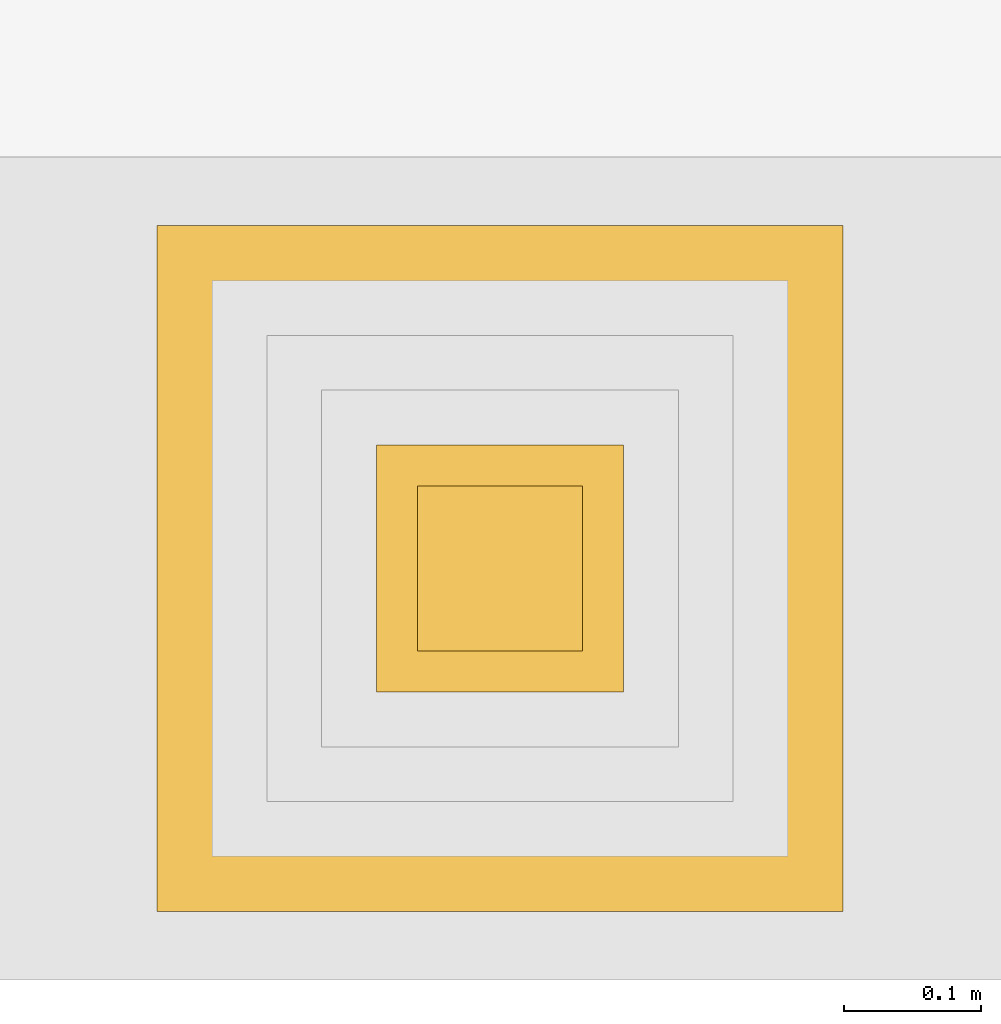
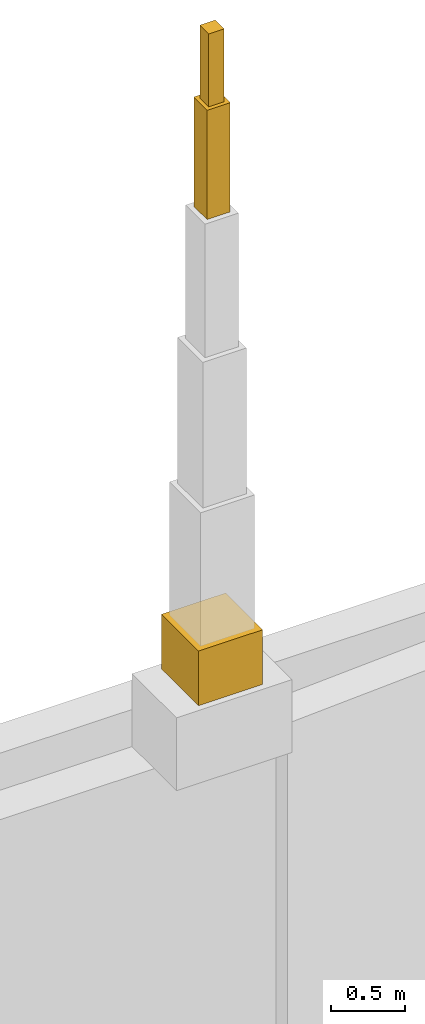
# One storey, part 6 of 6: 3 coverings.
"""IFC4 building model written with IfcOpenShell, lengths in metres."""

from ifc_helpers import new_model, si_unit, direction, frame, origin, origin_2d, place, context, subcontext, project, spatial, rectangle, extrude, material, layer, layer_set, type_object, element, save


model = new_model("IFC4")

# Units and contexts
model_context = context("Model", 3, precision=1e-05, world=origin(), true_north=direction((0.0, 1.0)))
body_context = subcontext(model_context, "Body", "Model", "MODEL_VIEW")
ifc_project = project(units=[si_unit("LENGTHUNIT", "METRE"), si_unit("AREAUNIT", "SQUARE_METRE"), si_unit("VOLUMEUNIT", "CUBIC_METRE"), si_unit("PLANEANGLEUNIT", "RADIAN"), si_unit("MASSUNIT", "GRAM", prefix="KILO")], contexts=[model_context])

# Site, building, storey
site_placement = place(None, origin())
site = spatial("IfcSite", under=ifc_project, at=site_placement, CompositionType="ELEMENT")
building_placement = place(site_placement, origin())
building = spatial("IfcBuilding", under=site, at=building_placement, Name="Ogive Portal Towers", CompositionType="ELEMENT")
storey_placement = place(building_placement, frame((0.0, 0.0, 293.89990234375)))
storey = spatial("IfcBuildingStorey", under=building, at=storey_placement, Name="L71", CompositionType="ELEMENT", Elevation=293.89990234375)

# Coverings
ifc_material = material(Name="Limestone cladding on lightweight block wall", Category="masonry")
ifc_layer = layer(ifc_material, 0.300048828125)
ifc_layer_set = layer_set([ifc_layer], Name="CROWN PINNACLE SHAFT STONE")
covering_type = type_object("IfcCoveringType", Name="CROWN PINNACLE SHAFT STONE", PredefinedType="CLADDING", material=ifc_layer_set)
covering_1_placement = place(storey_placement, frame((86.948974609375, 20.0, 4.39794921875), z_axis=(0.0, 0.0, 1.0), x_axis=(1.0, 0.0, 0.0)))
element("IfcCovering", 1, at=covering_1_placement, inside=storey, type_object=covering_type, Name="CROWN SPIRE", PredefinedType="CLADDING", context=body_context, shape_type="SweptSolid", body=[
    extrude(rectangle(XDim=0.5, YDim=0.5, at=origin_2d()), origin(), (0.0, 0.0, 1.0), 0.449951171875),
])
covering_2_placement = place(storey_placement, frame((86.948974609375, 20.0, 8.248046875), z_axis=(0.0, 0.0, 1.0), x_axis=(1.0, 0.0, 0.0)))
element("IfcCovering", 2, at=covering_2_placement, inside=storey, type_object=covering_type, Name="CROWN SPIRE", PredefinedType="CLADDING", context=body_context, shape_type="SweptSolid", body=[
    extrude(rectangle(XDim=0.179931640625, YDim=0.179931640625, at=origin_2d()), origin(), (0.0, 0.0, 1.0), 0.89990234375),
])
covering_3_placement = place(storey_placement, frame((86.948974609375, 20.0, 9.14794921875), z_axis=(0.0, 0.0, 1.0), x_axis=(1.0, 0.0, 0.0)))
element("IfcCovering", 3, at=covering_3_placement, inside=storey, type_object=covering_type, Name="CROWN SPIRE", PredefinedType="CLADDING", context=body_context, shape_type="SweptSolid", body=[
    extrude(rectangle(XDim=0.1201171875, YDim=0.1201171875, at=origin_2d()), origin(), (0.0, 0.0, 1.0), 0.60009765625),
])

save(model, "model.ifc")
